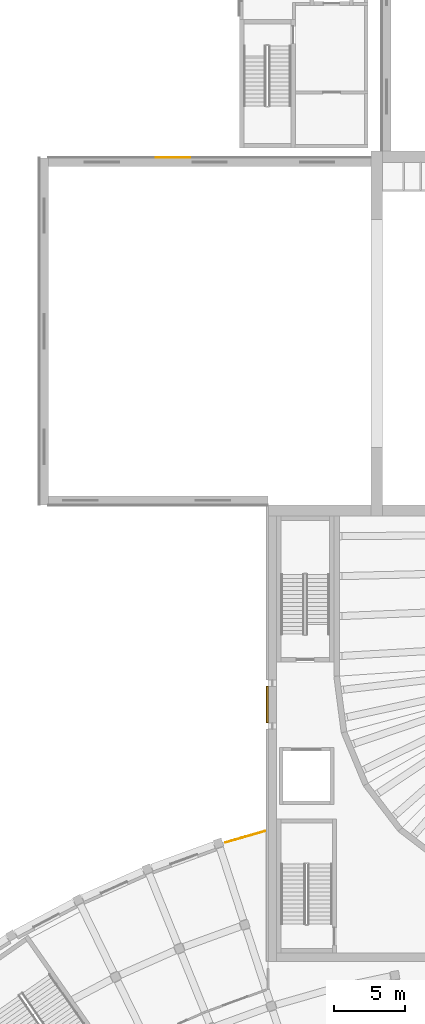
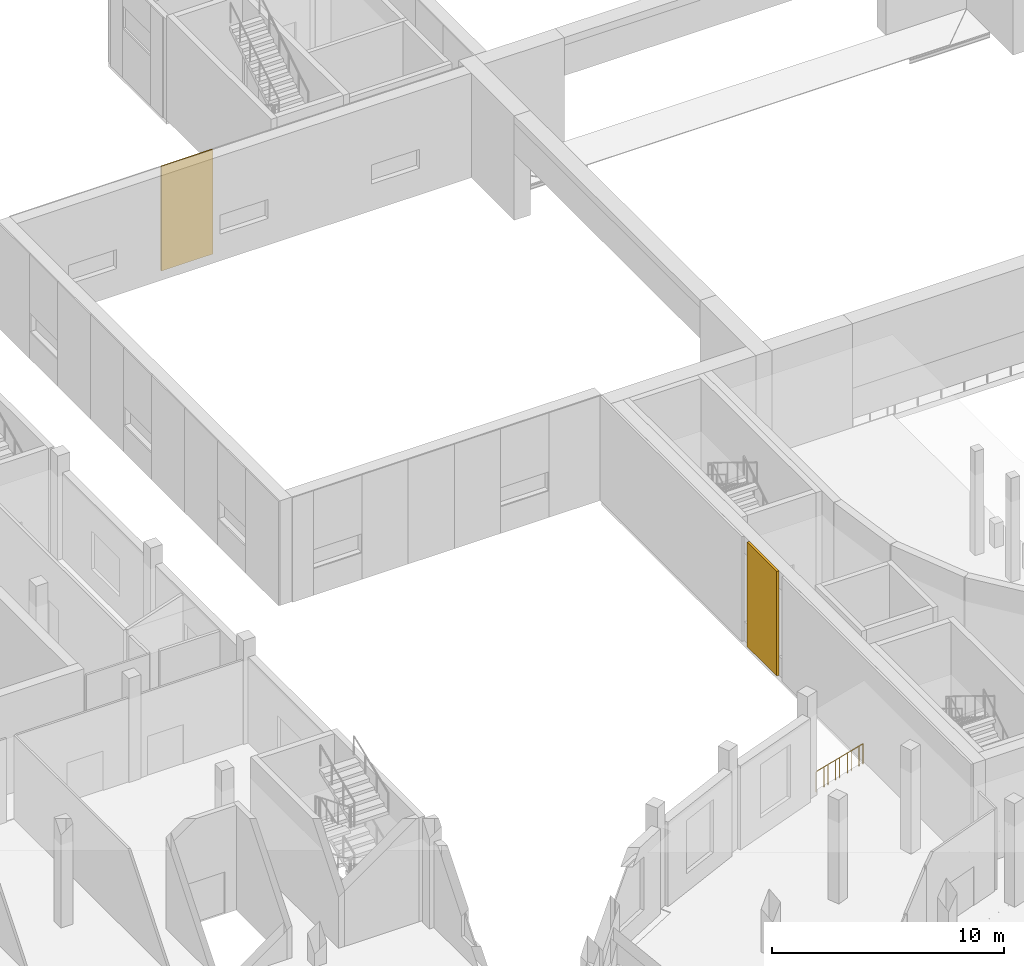
# One storey, part 66 of 87: 2 coverings, 1 railing.
"""IFC4 building model written with IfcOpenShell, lengths in metres."""

from ifc_helpers import new_model, si_unit, direction, frame, origin, origin_2d, place, context, subcontext, project, spatial, rectangle, circle, extrude, material, layer, layer_set, type_object, element, save


model = new_model("IFC4")

# Units and contexts
model_context = context("Model", 3, precision=1e-05, world=origin(), true_north=direction((0.0, 1.0)))
body_context = subcontext(model_context, "Body", "Model", "MODEL_VIEW")
ifc_project = project(units=[si_unit("LENGTHUNIT", "METRE"), si_unit("AREAUNIT", "SQUARE_METRE"), si_unit("VOLUMEUNIT", "CUBIC_METRE"), si_unit("PLANEANGLEUNIT", "RADIAN"), si_unit("MASSUNIT", "GRAM", prefix="KILO")], contexts=[model_context])

# Site, building, storey
site_placement = place(None, origin())
site = spatial("IfcSite", under=ifc_project, at=site_placement, CompositionType="ELEMENT")
building_placement = place(site_placement, origin())
building = spatial("IfcBuilding", under=site, at=building_placement, Name="Lunette Opera House", CompositionType="ELEMENT")
storey_placement = place(building_placement, frame((0.0, 0.0, 11.5)))
storey = spatial("IfcBuildingStorey", under=building, at=storey_placement, Name="L02", CompositionType="ELEMENT", Elevation=11.5)

# Covering
ifc_material_1 = material(Name="Clinker brick", Category="masonry")
ifc_layer_1 = layer(ifc_material_1, 0.114990234375)
ifc_layer_set_1 = layer_set([ifc_layer_1], Name="Clinker brick")
covering_type_1 = type_object("IfcCoveringType", Name="CLINKER CLADDING 115", PredefinedType="CLADDING", material=ifc_layer_set_1)
covering_1_placement = place(storey_placement, frame((75.94189453125, 82.0, 0.0), z_axis=(0.0, 0.0, 1.0), x_axis=(1.0, 0.0, 0.0)))
element("IfcCovering", 1, at=covering_1_placement, inside=storey, type_object=covering_type_1, Name="Clinker cladding WL L02 2", PredefinedType="CLADDING", context=body_context, shape_type="SweptSolid", body=[
    extrude(rectangle(XDim=0.114990234375, YDim=2.550048828125, at=origin_2d()), origin(), (0.0, 0.0, 1.0), 5.5),
])

# Railing
ifc_material_2 = material(Name="Steel S355", Category="steel")
railing_type = type_object("IfcRailingType", Name="DECK GUARD 1100", PredefinedType="GUARDRAIL", material=ifc_material_2)
railing_placement = place(storey_placement, frame((75.7900390625, 73.135986328125, 0.0)))
element("IfcRailing", 2, at=railing_placement, inside=storey, type_object=railing_type, Name="Deck guard 020", PredefinedType="GUARDRAIL", context=body_context, shape_type="SweptSolid", body=[
    extrude(circle(Radius=0.02392578125, at=origin_2d()), frame((0.0, 0.0, 1.076171875), z_axis=(-0.962280734503, -0.272058427556, 0.0), x_axis=(0.272058427556, -0.962280734503, 0.0)), (0.0, 0.0, 1.0), 0.2421875),
    extrude(circle(Radius=0.02392578125, at=origin_2d()), frame((-0.233154296875, -0.06591796875, 1.076171875), z_axis=(-0.960699201485, -0.277591506113, 0.0), x_axis=(0.277591506113, -0.960699201485, 0.0)), (0.0, 0.0, 1.0), 0.48291015625),
    extrude(circle(Radius=0.02392578125, at=origin_2d()), frame((-0.697021484375, -0.199951171875, 1.076171875), z_axis=(-0.962206045824, -0.272322465799, 0.0), x_axis=(0.272322465799, -0.962206045824, 0.0)), (0.0, 0.0, 1.0), 0.241943359375),
    extrude(circle(Radius=0.02392578125, at=origin_2d()), frame((-0.929931640625, -0.265869140625, 1.076171875), z_axis=(-0.960738135556, -0.277456726155, 0.0), x_axis=(0.277456726155, -0.960738135556, 0.0)), (0.0, 0.0, 1.0), 0.483154296875),
    extrude(circle(Radius=0.02392578125, at=origin_2d()), frame((-1.39404296875, -0.39990234375, 1.076171875), z_axis=(-0.961941381411, -0.273255885076, 0.0), x_axis=(0.273255885076, -0.961941381411, 0.0)), (0.0, 0.0, 1.0), 0.2421875),
    extrude(circle(Radius=0.02392578125, at=origin_2d()), frame((-1.626953125, -0.466064453125, 1.076171875), z_axis=(-0.960738135556, -0.277456726155, 0.0), x_axis=(0.277456726155, -0.960738135556, 0.0)), (0.0, 0.0, 1.0), 0.483154296875),
    extrude(circle(Radius=0.02392578125, at=origin_2d()), frame((-2.091064453125, -0.60009765625, 1.076171875), z_axis=(-0.962206045824, -0.272322465799, 0.0), x_axis=(0.272322465799, -0.962206045824, 0.0)), (0.0, 0.0, 1.0), 0.241943359375),
    extrude(circle(Radius=0.02392578125, at=origin_2d()), frame((-2.323974609375, -0.666015625, 1.076171875), z_axis=(-0.960738135556, -0.277456726155, 0.0), x_axis=(0.277456726155, -0.960738135556, 0.0)), (0.0, 0.0, 1.0), 0.483154296875),
    extrude(circle(Radius=0.02099609375, at=origin_2d()), origin(), (0.0, 0.0, 1.0), 1.052001953125),
    extrude(circle(Radius=0.02099609375, at=origin_2d()), frame((-0.233154296875, -0.06591796875, 0.0)), (0.0, 0.0, 1.0), 1.052001953125),
    extrude(circle(Radius=0.02099609375, at=origin_2d()), frame((-0.697021484375, -0.199951171875, 0.0)), (0.0, 0.0, 1.0), 1.052001953125),
    extrude(circle(Radius=0.02099609375, at=origin_2d()), frame((-0.929931640625, -0.265869140625, 0.0)), (0.0, 0.0, 1.0), 1.052001953125),
    extrude(circle(Radius=0.02099609375, at=origin_2d()), frame((-1.39404296875, -0.39990234375, 0.0)), (0.0, 0.0, 1.0), 1.052001953125),
    extrude(circle(Radius=0.02099609375, at=origin_2d()), frame((-1.626953125, -0.466064453125, 0.0)), (0.0, 0.0, 1.0), 1.052001953125),
    extrude(circle(Radius=0.02099609375, at=origin_2d()), frame((-2.091064453125, -0.60009765625, 0.0)), (0.0, 0.0, 1.0), 1.052001953125),
    extrude(circle(Radius=0.02099609375, at=origin_2d()), frame((-2.323974609375, -0.666015625, 0.0)), (0.0, 0.0, 1.0), 1.052001953125),
    extrude(circle(Radius=0.02099609375, at=origin_2d()), frame((-2.7880859375, -0.800048828125, 0.0)), (0.0, 0.0, 1.0), 1.052001953125),
])

# Covering
ifc_material_3 = material(Name="Aluminium standing seam cladding", Category="aluminium")
ifc_layer_2 = layer(ifc_material_3, 0.06005859375)
ifc_layer_set_2 = layer_set([ifc_layer_2], Name="Aluminium standing seam cladding")
covering_type_2 = type_object("IfcCoveringType", Name="STANDING SEAM CLADDING 60", PredefinedType="CLADDING", material=ifc_layer_set_2)
covering_2_placement = place(storey_placement, frame((69.4169921875, 120.330078125, 0.0), z_axis=(0.0, 0.0, 1.0), x_axis=(1.0, 0.0, 0.0)))
element("IfcCovering", 3, at=covering_2_placement, inside=storey, type_object=covering_type_2, Name="Standing seam cladding SW-N-1 L02 21", PredefinedType="CLADDING", context=body_context, shape_type="SweptSolid", body=[
    extrude(rectangle(XDim=2.56689453125, YDim=0.06005859375, at=origin_2d()), origin(), (0.0, 0.0, 1.0), 5.5),
])

save(model, "model.ifc")
